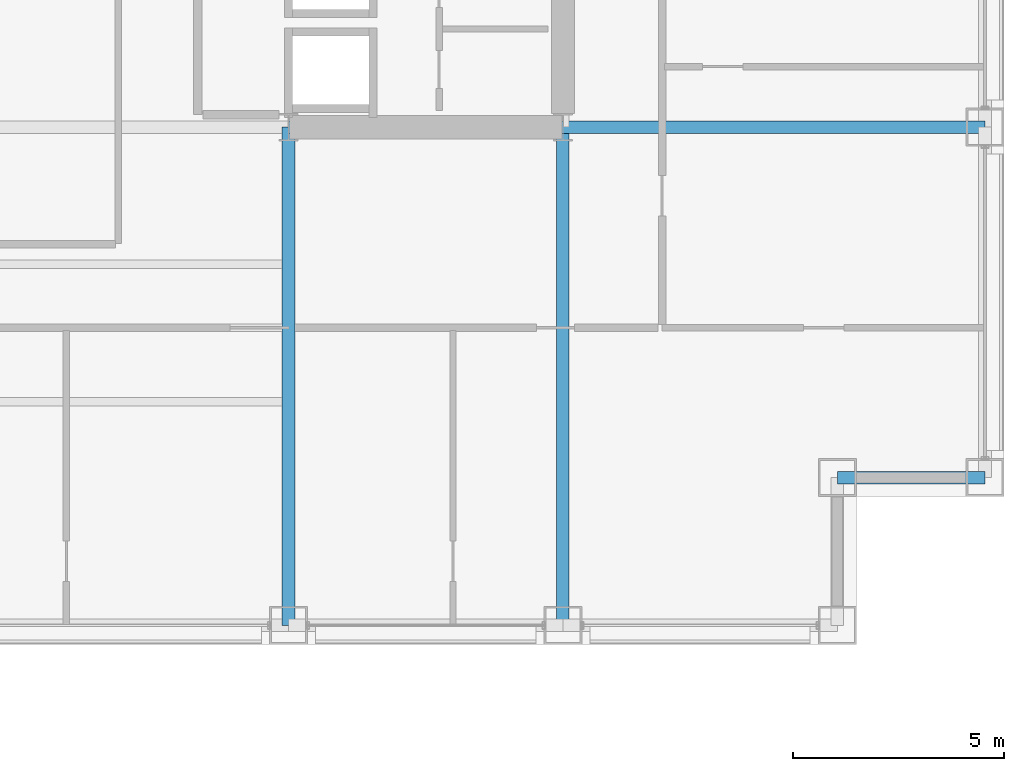
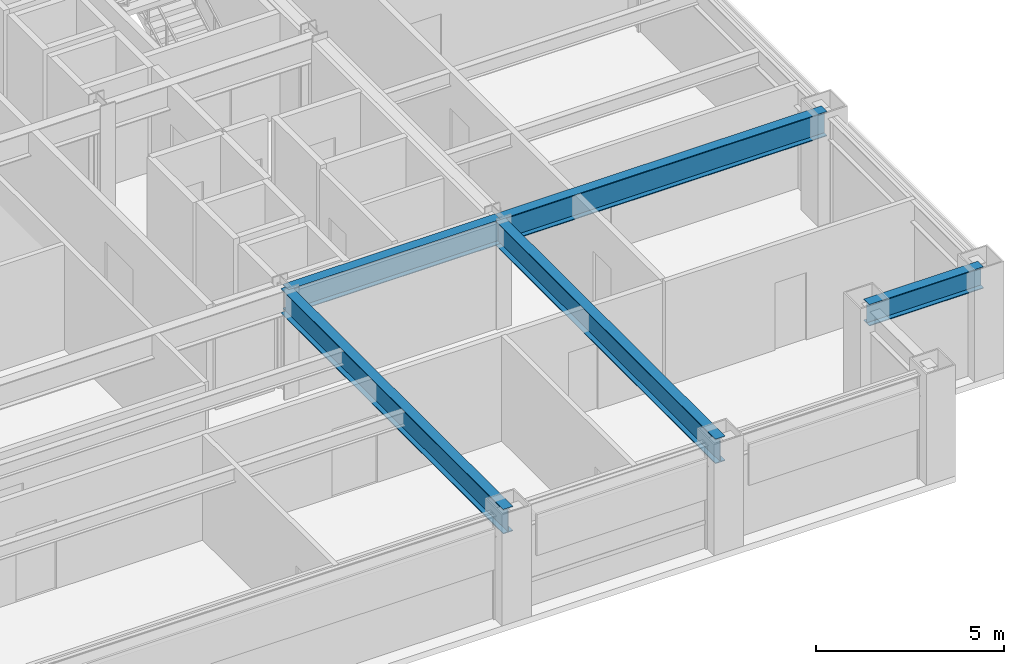
# One storey, part 9 of 29: 5 beams.
"""IFC4 building model written with IfcOpenShell, lengths in metres."""

import ifcopenshell
import ifcopenshell.guid

model = None  # the IFC model being written
_history = None  # IfcOwnerHistory: only IFC2X3 demands one
_inside = {}  # id of a spatial element -> (the spatial element, [elements in it])
_under = {}  # id of a project, library or spatial element -> (it, [spatial elements below it])
_declared = {}  # id of a project -> (the project, [libraries it declares])
_typed = {}  # id of a type object -> (the type object, [elements of that type])
_made_of = {}  # id of a material, layer set ... -> (it, [elements and type objects made of it])


def new_model(schema):
    """Start an empty IFC model of exactly this schema.

    Asked for "IFC4X3", IfcOpenShell would pick the latest addendum, in which some entities
    have other attributes; the version numbers below select the first issue.
    IFC2X3 requires an IfcOwnerHistory on every rooted entity: one is made here for all.
    """
    global model, _history
    if schema == "IFC4X3":
        model = ifcopenshell.file(schema_version=(4, 3, 0, 0))
    else:
        model = ifcopenshell.file(schema=schema)
    _inside.clear()
    _under.clear()
    _declared.clear()
    _typed.clear()
    _made_of.clear()
    _history = None
    if model.schema == "IFC2X3":
        org = make("IfcOrganization", Name="unknown")
        user = make(
            "IfcPersonAndOrganization",
            ThePerson=make("IfcPerson", FamilyName="unknown"),
            TheOrganization=org,
        )
        app = make(
            "IfcApplication",
            ApplicationDeveloper=org,
            Version="unknown",
            ApplicationFullName="unknown",
            ApplicationIdentifier="unknown",
        )
        _history = make(
            "IfcOwnerHistory",
            OwningUser=user,
            OwningApplication=app,
            ChangeAction="ADDED",
            CreationDate=0,
        )
    return model


def make(cls, **values):
    """One entity of the class cls with the attributes given. An attribute that is None is left unset."""
    return model.create_entity(
        cls, **{name: value for name, value in values.items() if value is not None}
    )


def rooted(cls, **values):
    """An entity with a GlobalId (a new one), such as an element, a storey or a relation."""
    return make(cls, GlobalId=ifcopenshell.guid.new(), OwnerHistory=_history, **values)


def si_unit(unit_type, name, prefix=None):
    """IfcSIUnit, for example si_unit("LENGTHUNIT", "METRE", prefix="MILLI")."""
    return make("IfcSIUnit", UnitType=unit_type, Prefix=prefix, Name=name)


def assignment(units):
    """IfcUnitAssignment: the units of a project."""
    return None if units is None else make("IfcUnitAssignment", Units=units)


def point(xyz):
    """IfcCartesianPoint."""
    return None if xyz is None else make("IfcCartesianPoint", Coordinates=xyz)


def direction(xyz):
    """IfcDirection."""
    return None if xyz is None else make("IfcDirection", DirectionRatios=xyz)


def frame(location, z_axis=None, x_axis=None):
    """IfcAxis2Placement3D, a coordinate frame: its origin and axes. An axis left out is left unset."""
    return make(
        "IfcAxis2Placement3D",
        Location=point(location),
        Axis=direction(z_axis),
        RefDirection=direction(x_axis),
    )


def frame_2d(location, x_axis=None):
    """IfcAxis2Placement2D, a coordinate frame in the plane: its origin and x axis."""
    return make(
        "IfcAxis2Placement2D", Location=point(location), RefDirection=direction(x_axis)
    )


def origin():
    """The frame at (0, 0, 0) with its axes left unset."""
    return frame((0.0, 0.0, 0.0))


def origin_2d():
    """The frame at (0, 0) in the plane with its x axis left unset."""
    return frame_2d((0.0, 0.0))


def place(relative_to, where):
    """IfcLocalPlacement: puts the frame where relative to a parent placement (None: the world)."""
    return make(
        "IfcLocalPlacement", PlacementRelTo=relative_to, RelativePlacement=where
    )


def context(
    kind, dimensions, precision=None, world=None, true_north=None, identifier=None
):
    """IfcGeometricRepresentationContext, for example the 3D "Model" context."""
    return make(
        "IfcGeometricRepresentationContext",
        ContextIdentifier=identifier,
        ContextType=kind,
        CoordinateSpaceDimension=dimensions,
        Precision=precision,
        WorldCoordinateSystem=world,
        TrueNorth=true_north,
    )


def subcontext(parent, identifier, kind, view, scale=None):
    """IfcGeometricRepresentationSubContext, for example "Body" below "Model"."""
    return make(
        "IfcGeometricRepresentationSubContext",
        ContextIdentifier=identifier,
        ContextType=kind,
        ParentContext=parent,
        TargetScale=scale,
        TargetView=view,
    )


def project(units=None, contexts=None):
    """IfcProject with its units and contexts."""
    return rooted(
        "IfcProject",
        Name="project",
        RepresentationContexts=contexts,
        UnitsInContext=assignment(units),
    )


def spatial(cls, under=None, at=None, **own):
    """A site, building, storey or space (cls), placed at a placement, below another one or the project."""
    s = rooted(cls, ObjectPlacement=at, **own)
    if under is not None:
        _under.setdefault(under.id(), (under, []))[1].append(s)
    return s


def profile(cls, at=None, kind="AREA", **sizes):
    """A parametric profile (cls). Its sizes go by their IFC names, for example OverallWidth=200.0."""
    return make(cls, ProfileType=kind, Position=at, **sizes)


def i_section(**sizes):
    """IfcIShapeProfileDef."""
    return profile("IfcIShapeProfileDef", **sizes)


def extrude(swept, where, along, depth):
    """IfcExtrudedAreaSolid: the profile swept, set in the frame where, extruded along a direction by depth."""
    return make(
        "IfcExtrudedAreaSolid",
        SweptArea=swept,
        Position=where,
        ExtrudedDirection=direction(along),
        Depth=depth,
    )


def shape(context_of_items, identifier, shape_type, items):
    """IfcShapeRepresentation: the items that make up one representation, for example the "Body"."""
    return make(
        "IfcShapeRepresentation",
        ContextOfItems=context_of_items,
        RepresentationIdentifier=identifier,
        RepresentationType=shape_type,
        Items=items,
    )


def material(Name=None, Category=None):
    """IfcMaterial."""
    return make("IfcMaterial", Name=Name, Category=Category)


def material_profile(
    of_material, cross_section, Name=None, Category=None, Priority=None
):
    """IfcMaterialProfile: a cross section and its material."""
    return make(
        "IfcMaterialProfile",
        Name=Name,
        Material=of_material,
        Profile=cross_section,
        Priority=Priority,
        Category=Category,
    )


def profile_set(profiles, Name=None, composite=None):
    """IfcMaterialProfileSet."""
    return make(
        "IfcMaterialProfileSet",
        Name=Name,
        MaterialProfiles=profiles,
        CompositeProfile=composite,
    )


def made_of(thing, what):
    """Note that an element or type object is made of a material, layer set ...; save() writes the relation."""
    if what is not None:
        _made_of.setdefault(what.id(), (what, []))[1].append(thing)
    return thing


def type_object(cls, material=None, **own):
    """A type object (cls), such as IfcWallType, which elements share."""
    return made_of(rooted(cls, **own), material)


def element(
    cls,
    number,
    at=None,
    inside=None,
    cuts=None,
    type_object=None,
    material=None,
    context=None,
    identifier="Body",
    shape_type=None,
    held_by="IfcProductDefinitionShape",
    body=None,
    shapes=None,
    **own,
):
    """One element of the class cls, such as IfcWall. Its Tag is "e" and its number.

    at: its placement. inside: the storey or other place that contains it. cuts: it is an
    opening in that element (IfcRelVoidsElement). A single representation is given by context,
    identifier, shape_type and body (its items); several are given by shapes. held_by: the class
    of the entity that holds the representations. save() writes the other relations.
    """
    e = rooted(cls, Tag="e%d" % number, ObjectPlacement=at, **own)
    if body is not None:
        shapes = [shape(context, identifier, shape_type, body)]
    if shapes is not None:
        e.Representation = make(held_by, Representations=shapes)
    if inside is not None:
        _inside.setdefault(inside.id(), (inside, []))[1].append(e)
    if cuts is not None:
        rooted(
            "IfcRelVoidsElement", RelatingBuildingElement=cuts, RelatedOpeningElement=e
        )
    if type_object is not None:
        _typed.setdefault(type_object.id(), (type_object, []))[1].append(e)
    return made_of(e, material)


def aggregate(whole, parts):
    """IfcRelAggregates: a whole, such as a stair, and the parts it consists of."""
    return rooted("IfcRelAggregates", RelatingObject=whole, RelatedObjects=parts)


def save(model, path):
    """Write the relations noted so far, then the file.

    IfcRelAggregates (storeys below a building ...), IfcRelContainedInSpatialStructure (elements
    in a storey), IfcRelDefinesByType, IfcRelAssociatesMaterial and IfcRelDeclares: one each for
    every whole, place, type object, material and project.
    """
    for whole, parts in _under.values():
        aggregate(whole, parts)
    for where, things in _inside.values():
        rooted(
            "IfcRelContainedInSpatialStructure",
            RelatedElements=things,
            RelatingStructure=where,
        )
    for kind, things in _typed.values():
        rooted("IfcRelDefinesByType", RelatedObjects=things, RelatingType=kind)
    for what, things in _made_of.values():
        rooted("IfcRelAssociatesMaterial", RelatedObjects=things, RelatingMaterial=what)
    for by, libraries in _declared.values():
        rooted("IfcRelDeclares", RelatingContext=by, RelatedDefinitions=libraries)
    model.write(path)


model = new_model("IFC4")

# Units and contexts
model_context = context("Model", 3, precision=1e-05, world=origin(), true_north=direction((0.0, 1.0)))
body_context = subcontext(model_context, "Body", "Model", "MODEL_VIEW")
ifc_project = project(units=[si_unit("LENGTHUNIT", "METRE"), si_unit("AREAUNIT", "SQUARE_METRE"), si_unit("VOLUMEUNIT", "CUBIC_METRE"), si_unit("PLANEANGLEUNIT", "RADIAN"), si_unit("MASSUNIT", "GRAM", prefix="KILO")], contexts=[model_context])

# Site, building, storey
site_placement = place(None, origin())
site = spatial("IfcSite", under=ifc_project, at=site_placement, CompositionType="ELEMENT")
building_placement = place(site_placement, origin())
building = spatial("IfcBuilding", under=site, at=building_placement, Name="Brelmoor Portico Tower", CompositionType="ELEMENT")
storey_placement = place(building_placement, frame((0.0, 0.0, 63.60009765625)))
storey = spatial("IfcBuildingStorey", under=building, at=storey_placement, Name="L16", CompositionType="ELEMENT", Elevation=63.60009765625)

# Beams
ifc_material = material(Name="Steel Q355B", Category="steel")
ifc_material_profile_1 = material_profile(ifc_material, i_section(OverallWidth=0.300048828125, OverallDepth=0.800048828125, WebThickness=0.013916015625, FlangeThickness=0.02587890625, at=origin_2d()), Name="HN 800x300x14x26")
ifc_profile_set_1 = profile_set([ifc_material_profile_1], Name="Steel Q355B")
beam_type_1 = type_object("IfcBeamType", Name="BM-PG-800", PredefinedType="BEAM", material=ifc_profile_set_1)
for number, where, z_axis, x_axis, name in (
    (1, (8.050048828125, -21.550048828125, 3.0), (0.0, 1.0, 0.0), (-1.0, 0.0, 0.0), "L16 Primary Floor Girder PG-09"),
    (2, (14.550048828125, -21.550048828125, 3.0), (0.0, 1.0, 0.0), (-1.0, 0.0, 0.0), "L16 Primary Floor Girder PG-11"),
):
    element("IfcBeam", number, at=place(storey_placement, frame(where, z_axis=z_axis, x_axis=x_axis)), inside=storey, type_object=beam_type_1, Name=name, PredefinedType="BEAM", context=body_context, shape_type="SweptSolid", body=[
        extrude(i_section(OverallWidth=0.300048828125, OverallDepth=0.800048828125, WebThickness=0.013916015625, FlangeThickness=0.02587890625, at=origin_2d()), origin(), (0.0, 0.0, 1.0), 11.800048828125),
    ])
beam_1_placement = place(storey_placement, frame((8.050048828125, -9.75, 3.0), z_axis=(1.0, 0.0, 0.0), x_axis=(0.0, 1.0, 0.0)))
element("IfcBeam", 3, at=beam_1_placement, inside=storey, type_object=beam_type_1, Name="L16 Primary Floor Girder PG-22", PredefinedType="BEAM", context=body_context, shape_type="SweptSolid", body=[
    extrude(i_section(OverallWidth=0.300048828125, OverallDepth=0.800048828125, WebThickness=0.013916015625, FlangeThickness=0.02587890625, at=origin_2d()), origin(), (0.0, 0.0, 1.0), 6.5),
])
beam_2_placement = place(storey_placement, frame((14.550048828125, -9.75, 3.0), z_axis=(1.0, 0.0, 0.0), x_axis=(0.0, 1.0, 0.0)))
element("IfcBeam", 4, at=beam_2_placement, inside=storey, type_object=beam_type_1, Name="L16 Primary Floor Girder PG-23", PredefinedType="BEAM", context=body_context, shape_type="SweptSolid", body=[
    extrude(i_section(OverallWidth=0.300048828125, OverallDepth=0.800048828125, WebThickness=0.013916015625, FlangeThickness=0.02587890625, at=origin_2d()), origin(), (0.0, 0.0, 1.0), 10.0),
])
ifc_material_profile_2 = material_profile(ifc_material, i_section(OverallWidth=0.300048828125, OverallDepth=0.699951171875, WebThickness=0.012939453125, FlangeThickness=0.02392578125, at=origin_2d()), Name="HN 700x300x13x24")
ifc_profile_set_2 = profile_set([ifc_material_profile_2], Name="Steel Q355B")
beam_type_2 = type_object("IfcBeamType", Name="BM-SP-700", PredefinedType="SPANDREL", material=ifc_profile_set_2)
beam_3_placement = place(storey_placement, frame((21.050048828125, -18.050048828125, 3.0498046875), z_axis=(1.0, 0.0, 0.0), x_axis=(0.0, 1.0, 0.0)))
element("IfcBeam", 5, at=beam_3_placement, inside=storey, type_object=beam_type_2, Name="L16 Perimeter Spandrel Beam SP-07", PredefinedType="SPANDREL", context=body_context, shape_type="SweptSolid", body=[
    extrude(i_section(OverallWidth=0.300048828125, OverallDepth=0.699951171875, WebThickness=0.012939453125, FlangeThickness=0.02392578125, at=origin_2d()), origin(), (0.0, 0.0, 1.0), 3.5),
])

save(model, "model.ifc")
